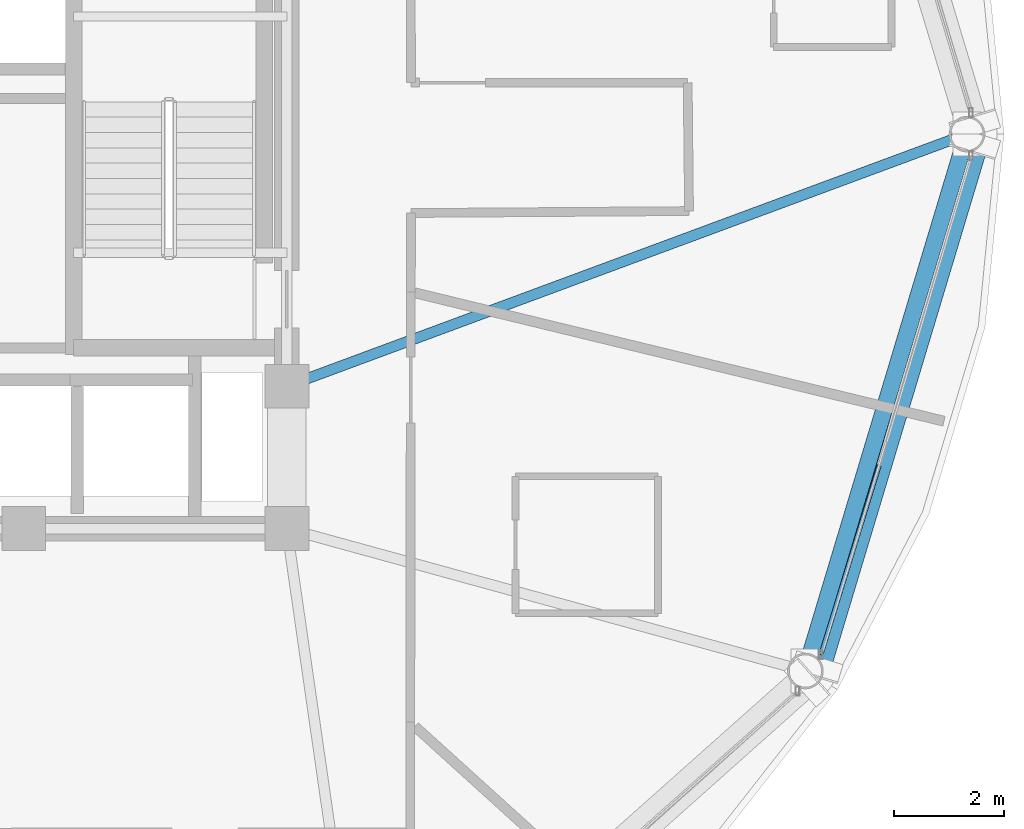
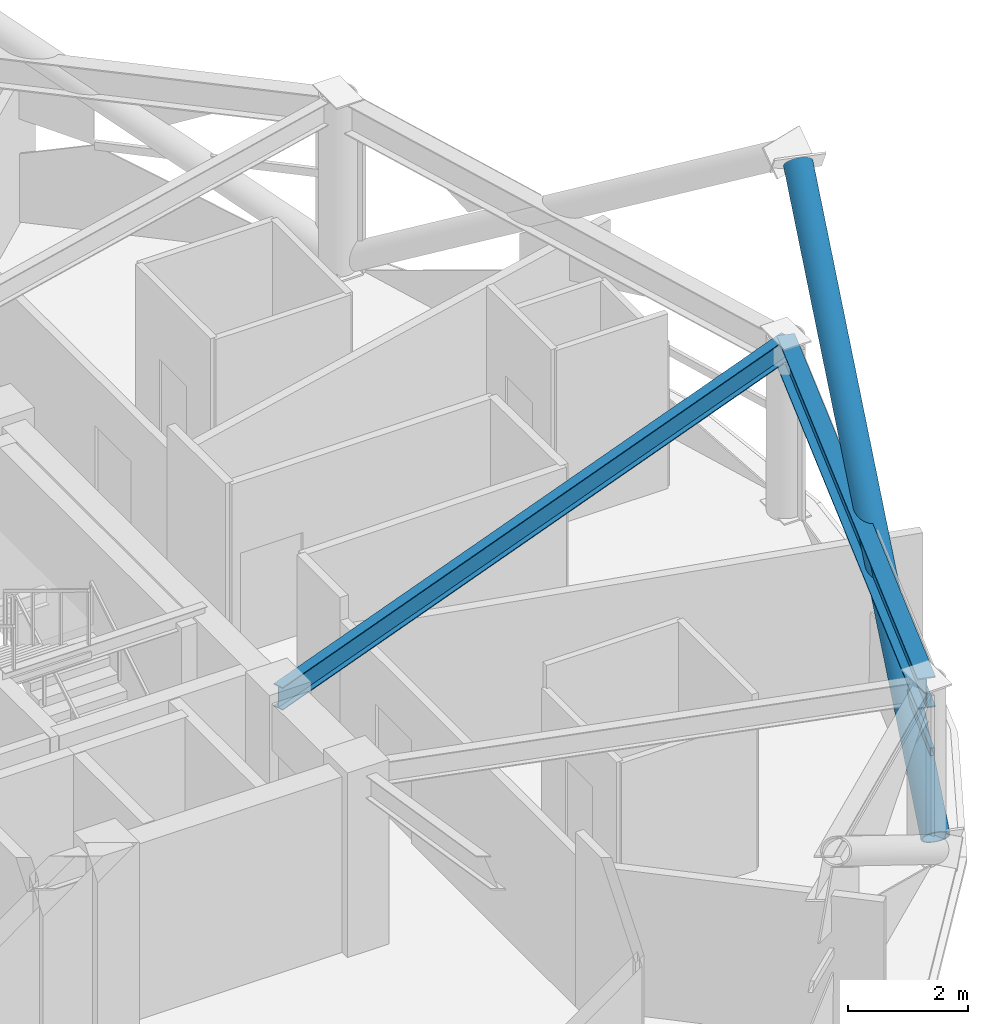
# One storey, part 12 of 29: 2 beams, 2 members, 1 element without a shape of its own.
"""IFC4 building model written with IfcOpenShell, lengths in metres."""

import ifcopenshell
import ifcopenshell.guid

model = None  # the IFC model being written
_history = None  # IfcOwnerHistory: only IFC2X3 demands one
_inside = {}  # id of a spatial element -> (the spatial element, [elements in it])
_under = {}  # id of a project, library or spatial element -> (it, [spatial elements below it])
_declared = {}  # id of a project -> (the project, [libraries it declares])
_typed = {}  # id of a type object -> (the type object, [elements of that type])
_made_of = {}  # id of a material, layer set ... -> (it, [elements and type objects made of it])


def new_model(schema):
    """Start an empty IFC model of exactly this schema.

    Asked for "IFC4X3", IfcOpenShell would pick the latest addendum, in which some entities
    have other attributes; the version numbers below select the first issue.
    IFC2X3 requires an IfcOwnerHistory on every rooted entity: one is made here for all.
    """
    global model, _history
    if schema == "IFC4X3":
        model = ifcopenshell.file(schema_version=(4, 3, 0, 0))
    else:
        model = ifcopenshell.file(schema=schema)
    _inside.clear()
    _under.clear()
    _declared.clear()
    _typed.clear()
    _made_of.clear()
    _history = None
    if model.schema == "IFC2X3":
        org = make("IfcOrganization", Name="unknown")
        user = make(
            "IfcPersonAndOrganization",
            ThePerson=make("IfcPerson", FamilyName="unknown"),
            TheOrganization=org,
        )
        app = make(
            "IfcApplication",
            ApplicationDeveloper=org,
            Version="unknown",
            ApplicationFullName="unknown",
            ApplicationIdentifier="unknown",
        )
        _history = make(
            "IfcOwnerHistory",
            OwningUser=user,
            OwningApplication=app,
            ChangeAction="ADDED",
            CreationDate=0,
        )
    return model


def make(cls, **values):
    """One entity of the class cls with the attributes given. An attribute that is None is left unset."""
    return model.create_entity(
        cls, **{name: value for name, value in values.items() if value is not None}
    )


def rooted(cls, **values):
    """An entity with a GlobalId (a new one), such as an element, a storey or a relation."""
    return make(cls, GlobalId=ifcopenshell.guid.new(), OwnerHistory=_history, **values)


def si_unit(unit_type, name, prefix=None):
    """IfcSIUnit, for example si_unit("LENGTHUNIT", "METRE", prefix="MILLI")."""
    return make("IfcSIUnit", UnitType=unit_type, Prefix=prefix, Name=name)


def assignment(units):
    """IfcUnitAssignment: the units of a project."""
    return None if units is None else make("IfcUnitAssignment", Units=units)


def point(xyz):
    """IfcCartesianPoint."""
    return None if xyz is None else make("IfcCartesianPoint", Coordinates=xyz)


def direction(xyz):
    """IfcDirection."""
    return None if xyz is None else make("IfcDirection", DirectionRatios=xyz)


def frame(location, z_axis=None, x_axis=None):
    """IfcAxis2Placement3D, a coordinate frame: its origin and axes. An axis left out is left unset."""
    return make(
        "IfcAxis2Placement3D",
        Location=point(location),
        Axis=direction(z_axis),
        RefDirection=direction(x_axis),
    )


def frame_2d(location, x_axis=None):
    """IfcAxis2Placement2D, a coordinate frame in the plane: its origin and x axis."""
    return make(
        "IfcAxis2Placement2D", Location=point(location), RefDirection=direction(x_axis)
    )


def origin():
    """The frame at (0, 0, 0) with its axes left unset."""
    return frame((0.0, 0.0, 0.0))


def origin_2d():
    """The frame at (0, 0) in the plane with its x axis left unset."""
    return frame_2d((0.0, 0.0))


def place(relative_to, where):
    """IfcLocalPlacement: puts the frame where relative to a parent placement (None: the world)."""
    return make(
        "IfcLocalPlacement", PlacementRelTo=relative_to, RelativePlacement=where
    )


def context(
    kind, dimensions, precision=None, world=None, true_north=None, identifier=None
):
    """IfcGeometricRepresentationContext, for example the 3D "Model" context."""
    return make(
        "IfcGeometricRepresentationContext",
        ContextIdentifier=identifier,
        ContextType=kind,
        CoordinateSpaceDimension=dimensions,
        Precision=precision,
        WorldCoordinateSystem=world,
        TrueNorth=true_north,
    )


def subcontext(parent, identifier, kind, view, scale=None):
    """IfcGeometricRepresentationSubContext, for example "Body" below "Model"."""
    return make(
        "IfcGeometricRepresentationSubContext",
        ContextIdentifier=identifier,
        ContextType=kind,
        ParentContext=parent,
        TargetScale=scale,
        TargetView=view,
    )


def project(units=None, contexts=None):
    """IfcProject with its units and contexts."""
    return rooted(
        "IfcProject",
        Name="project",
        RepresentationContexts=contexts,
        UnitsInContext=assignment(units),
    )


def spatial(cls, under=None, at=None, **own):
    """A site, building, storey or space (cls), placed at a placement, below another one or the project."""
    s = rooted(cls, ObjectPlacement=at, **own)
    if under is not None:
        _under.setdefault(under.id(), (under, []))[1].append(s)
    return s


def profile(cls, at=None, kind="AREA", **sizes):
    """A parametric profile (cls). Its sizes go by their IFC names, for example OverallWidth=200.0."""
    return make(cls, ProfileType=kind, Position=at, **sizes)


def hollow_rectangle(**sizes):
    """IfcRectangleHollowProfileDef."""
    return profile("IfcRectangleHollowProfileDef", **sizes)


def hollow_circle(**sizes):
    """IfcCircleHollowProfileDef."""
    return profile("IfcCircleHollowProfileDef", **sizes)


def i_section(**sizes):
    """IfcIShapeProfileDef."""
    return profile("IfcIShapeProfileDef", **sizes)


def extrude(swept, where, along, depth):
    """IfcExtrudedAreaSolid: the profile swept, set in the frame where, extruded along a direction by depth."""
    return make(
        "IfcExtrudedAreaSolid",
        SweptArea=swept,
        Position=where,
        ExtrudedDirection=direction(along),
        Depth=depth,
    )


def shape(context_of_items, identifier, shape_type, items):
    """IfcShapeRepresentation: the items that make up one representation, for example the "Body"."""
    return make(
        "IfcShapeRepresentation",
        ContextOfItems=context_of_items,
        RepresentationIdentifier=identifier,
        RepresentationType=shape_type,
        Items=items,
    )


def material(Name=None, Category=None):
    """IfcMaterial."""
    return make("IfcMaterial", Name=Name, Category=Category)


def layer(
    of_material, thickness, ventilated=None, Name=None, Category=None, Priority=None
):
    """IfcMaterialLayer: one layer of a wall or slab, of a material (None: an air gap)."""
    return make(
        "IfcMaterialLayer",
        Material=of_material,
        LayerThickness=thickness,
        IsVentilated=ventilated,
        Name=Name,
        Category=Category,
        Priority=Priority,
    )


def layer_set(layers, Name=None):
    """IfcMaterialLayerSet."""
    return make("IfcMaterialLayerSet", MaterialLayers=layers, LayerSetName=Name)


def material_profile(
    of_material, cross_section, Name=None, Category=None, Priority=None
):
    """IfcMaterialProfile: a cross section and its material."""
    return make(
        "IfcMaterialProfile",
        Name=Name,
        Material=of_material,
        Profile=cross_section,
        Priority=Priority,
        Category=Category,
    )


def profile_set(profiles, Name=None, composite=None):
    """IfcMaterialProfileSet."""
    return make(
        "IfcMaterialProfileSet",
        Name=Name,
        MaterialProfiles=profiles,
        CompositeProfile=composite,
    )


def made_of(thing, what):
    """Note that an element or type object is made of a material, layer set ...; save() writes the relation."""
    if what is not None:
        _made_of.setdefault(what.id(), (what, []))[1].append(thing)
    return thing


def type_object(cls, material=None, **own):
    """A type object (cls), such as IfcWallType, which elements share."""
    return made_of(rooted(cls, **own), material)


def element(
    cls,
    number,
    at=None,
    inside=None,
    cuts=None,
    type_object=None,
    material=None,
    context=None,
    identifier="Body",
    shape_type=None,
    held_by="IfcProductDefinitionShape",
    body=None,
    shapes=None,
    **own,
):
    """One element of the class cls, such as IfcWall. Its Tag is "e" and its number.

    at: its placement. inside: the storey or other place that contains it. cuts: it is an
    opening in that element (IfcRelVoidsElement). A single representation is given by context,
    identifier, shape_type and body (its items); several are given by shapes. held_by: the class
    of the entity that holds the representations. save() writes the other relations.
    """
    e = rooted(cls, Tag="e%d" % number, ObjectPlacement=at, **own)
    if body is not None:
        shapes = [shape(context, identifier, shape_type, body)]
    if shapes is not None:
        e.Representation = make(held_by, Representations=shapes)
    if inside is not None:
        _inside.setdefault(inside.id(), (inside, []))[1].append(e)
    if cuts is not None:
        rooted(
            "IfcRelVoidsElement", RelatingBuildingElement=cuts, RelatedOpeningElement=e
        )
    if type_object is not None:
        _typed.setdefault(type_object.id(), (type_object, []))[1].append(e)
    return made_of(e, material)


def aggregate(whole, parts):
    """IfcRelAggregates: a whole, such as a stair, and the parts it consists of."""
    return rooted("IfcRelAggregates", RelatingObject=whole, RelatedObjects=parts)


def save(model, path):
    """Write the relations noted so far, then the file.

    IfcRelAggregates (storeys below a building ...), IfcRelContainedInSpatialStructure (elements
    in a storey), IfcRelDefinesByType, IfcRelAssociatesMaterial and IfcRelDeclares: one each for
    every whole, place, type object, material and project.
    """
    for whole, parts in _under.values():
        aggregate(whole, parts)
    for where, things in _inside.values():
        rooted(
            "IfcRelContainedInSpatialStructure",
            RelatedElements=things,
            RelatingStructure=where,
        )
    for kind, things in _typed.values():
        rooted("IfcRelDefinesByType", RelatedObjects=things, RelatingType=kind)
    for what, things in _made_of.values():
        rooted("IfcRelAssociatesMaterial", RelatedObjects=things, RelatingMaterial=what)
    for by, libraries in _declared.values():
        rooted("IfcRelDeclares", RelatingContext=by, RelatedDefinitions=libraries)
    model.write(path)


model = new_model("IFC4")

# Units and contexts
model_context = context("Model", 3, precision=1e-05, world=origin(), true_north=direction((0.0, 1.0)))
body_context = subcontext(model_context, "Body", "Model", "MODEL_VIEW")
ifc_project = project(units=[si_unit("LENGTHUNIT", "METRE"), si_unit("AREAUNIT", "SQUARE_METRE"), si_unit("VOLUMEUNIT", "CUBIC_METRE"), si_unit("PLANEANGLEUNIT", "RADIAN"), si_unit("MASSUNIT", "GRAM", prefix="KILO")], contexts=[model_context])

# Site, building, storey
site_placement = place(None, origin())
site = spatial("IfcSite", under=ifc_project, at=site_placement, CompositionType="ELEMENT")
building_placement = place(site_placement, origin())
building = spatial("IfcBuilding", under=site, at=building_placement, Name="Vantalir Tower", CompositionType="ELEMENT")
storey_placement = place(building_placement, frame((0.0, 0.0, 219.89990234375)))
storey = spatial("IfcBuildingStorey", under=building, at=storey_placement, Name="L55", CompositionType="ELEMENT", Elevation=219.89990234375)

# Beams
ifc_material_1 = material(Name="Steel S355", Category="steel")
ifc_material_profile_1 = material_profile(ifc_material_1, i_section(OverallWidth=0.19189453125, OverallDepth=0.462890625, WebThickness=0.010498046875, FlangeThickness=0.017578125, at=origin_2d()), Name="Steel S355")
ifc_profile_set_1 = profile_set([ifc_material_profile_1], Name="Steel S355")
beam_type_1 = type_object("IfcBeamType", Name="BM-RB-457x191", PredefinedType="BEAM", material=ifc_profile_set_1)
beam_1_placement = place(storey_placement, frame((53.512939453125, 25.0, 3.338134765625), z_axis=(-0.937681112374, -0.34749695178, 0.0), x_axis=(0.34749695178, -0.937681112374, 0.0)))
element("IfcBeam", 1, at=beam_1_placement, inside=storey, type_object=beam_type_1, Name="L55 Radial Floor Beam 01", PredefinedType="BEAM", context=body_context, shape_type="SweptSolid", body=[
    extrude(i_section(OverallWidth=0.19189453125, OverallDepth=0.462890625, WebThickness=0.010498046875, FlangeThickness=0.017578125, at=origin_2d()), origin(), (0.0, 0.0, 1.0), 13.23779296875),
])
ifc_material_2 = material(Name="Steel S460", Category="steel")
ifc_material_profile_2 = material_profile(ifc_material_2, i_section(OverallWidth=0.306884765625, OverallDepth=0.6201171875, WebThickness=0.01416015625, FlangeThickness=0.023681640625, at=origin_2d()), Name="Steel S460")
ifc_profile_set_2 = profile_set([ifc_material_profile_2], Name="Steel S460")
beam_type_2 = type_object("IfcBeamType", Name="BM-RG-610x305", PredefinedType="USERDEFINED", material=ifc_profile_set_2)
beam_2_placement = place(storey_placement, frame((50.56396484375, 15.201904296875, 3.260009765625), z_axis=(0.288203662464, 0.957569135333, 0.0), x_axis=(-0.957569135333, 0.288203662464, 0.0)))
element("IfcBeam", 2, at=beam_2_placement, inside=storey, type_object=beam_type_2, Name="L55 Circumferential Ring Girder 12", ObjectType="GIRDER", PredefinedType="USERDEFINED", context=body_context, shape_type="SweptSolid", body=[
    extrude(i_section(OverallWidth=0.306884765625, OverallDepth=0.6201171875, WebThickness=0.01416015625, FlangeThickness=0.023681640625, at=origin_2d()), origin(), (0.0, 0.0, 1.0), 10.232177734375),
])

# Curtain wall, member
ifc_material_3 = material(Name="Champagne-silver PVDF aluminium and double-silver Low-E glass", Category="aluminium")
ifc_layer = layer(ifc_material_3, 0.2099609375)
ifc_layer_set = layer_set([ifc_layer], Name="Champagne-silver PVDF aluminium and double-silver Low-E glass")
curtain_wall_type = type_object("IfcCurtainWallType", Name="CW-DIAMOND-Z3", PredefinedType="USERDEFINED", material=ifc_layer_set)
curtain_wall_placement = place(storey_placement, origin())
curtain_wall = element("IfcCurtainWall", 3, at=curtain_wall_placement, inside=storey, type_object=curtain_wall_type, Name="L55 Quilted Pyramid-Diamond Curtain Wall S12", ObjectType="UNITISED CURTAIN WALL", PredefinedType="USERDEFINED")
ifc_material_4 = material(Name="Champagne-silver PVDF aluminium 6063-T6", Category="aluminium")
ifc_material_profile_3 = material_profile(ifc_material_4, hollow_rectangle(XDim=0.074951171875, YDim=0.159912109375, WallThickness=0.00390625, at=origin_2d()), Name="Champagne-silver PVDF aluminium 6063-T6")
ifc_profile_set_3 = profile_set([ifc_material_profile_3], Name="Champagne-silver PVDF aluminium 6063-T6")
member_type_1 = type_object("IfcMemberType", Name="CWT-160x75", PredefinedType="USERDEFINED", material=ifc_profile_set_3)
member_1_placement = place(storey_placement, frame((50.845947265625, 15.5, 1.78515625), z_axis=(0.294380131047, 0.955688410751, 0.0), x_axis=(-0.955688410751, 0.294380131047, 0.0)))
member_1 = element("IfcMember", 4, at=member_1_placement, type_object=member_type_1, Name="CW-L55-S12 Pyramid Fold Ridge Transom", ObjectType="TRANSOM", PredefinedType="USERDEFINED", context=body_context, shape_type="SweptSolid", body=[
    extrude(hollow_rectangle(XDim=0.074951171875, YDim=0.159912109375, WallThickness=0.00390625, at=origin_2d()), origin(), (0.0, 0.0, 1.0), 3.6142578125),
])
aggregate(curtain_wall, [member_1])

# Member
ifc_material_profile_4 = material_profile(ifc_material_2, hollow_circle(Radius=0.25, WallThickness=0.031982421875, at=origin_2d()), Name="Steel S460")
ifc_profile_set_4 = profile_set([ifc_material_profile_4], Name="Steel S460")
member_type_2 = type_object("IfcMemberType", Name="MEM-DB-500x32", PredefinedType="BRACE", material=ifc_profile_set_4)
member_2_placement = place(storey_placement, frame((50.780029296875, 15.280029296875, 0.205078125), z_axis=(0.236677859602, 0.787061061476, 0.569665231765), x_axis=(-0.957638702943, 0.287972419904, 0.0)))
element("IfcMember", 5, at=member_2_placement, inside=storey, type_object=member_type_2, Name="L55 Perimeter S460 Diagrid Brace R34L", PredefinedType="BRACE", context=body_context, shape_type="SweptSolid", body=[
    extrude(hollow_circle(Radius=0.25, WallThickness=0.031982421875, at=origin_2d()), origin(), (0.0, 0.0, 1.0), 12.1298828125),
])

save(model, "model.ifc")
